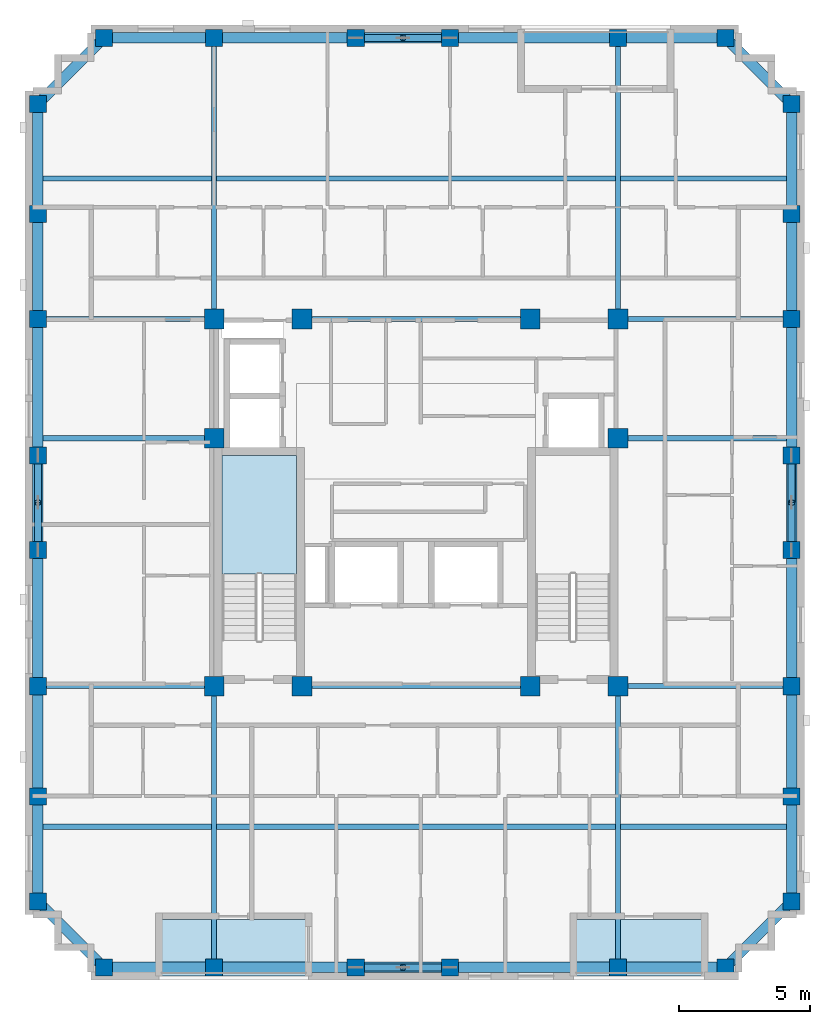
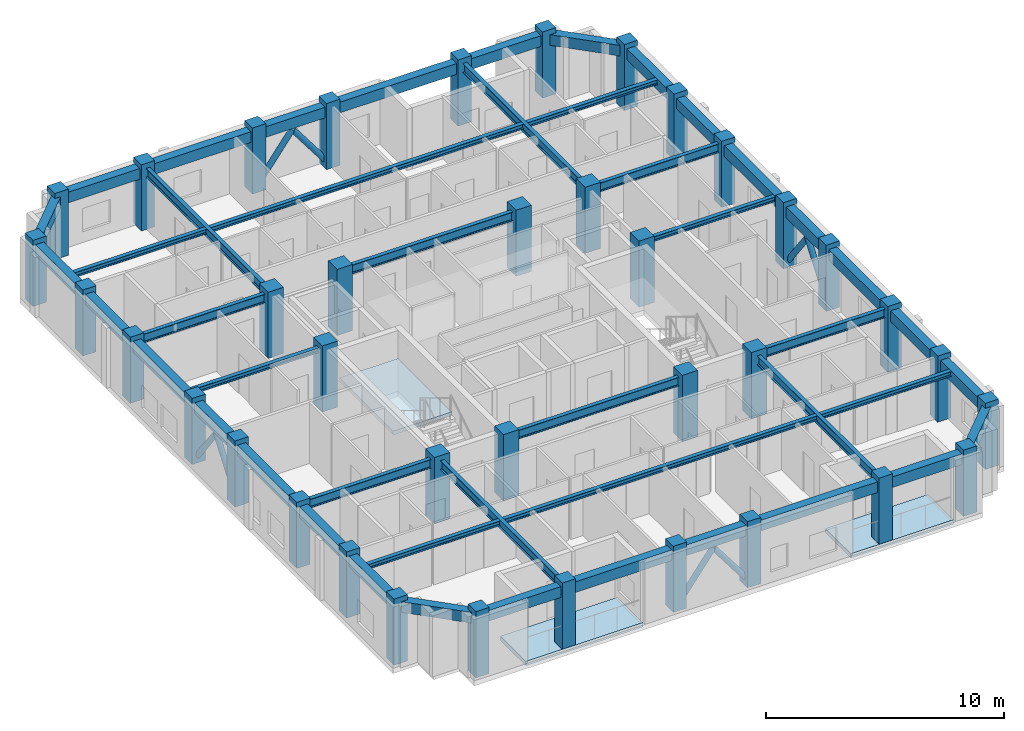
# One storey, part 1 of 11: 46 beams, 38 columns, 8 members, 3 slabs, 1 element without a shape of its own.
"""IFC4 building model written with IfcOpenShell, lengths in metres."""

from ifc_helpers import new_model, si_unit, derived_unit, direction, frame, origin, origin_2d, place, context, subcontext, project, spatial, polyline, rectangle, hollow_circle, i_section, outline, extrude, material, layer, layer_set, material_profile, profile_set, type_object, element, aggregate, save


model = new_model("IFC4")

# Units and contexts
model_context = context("Model", 3, precision=1e-05, world=origin(), true_north=direction((0.0, 1.0)))
body_context = subcontext(model_context, "Body", "Model", "MODEL_VIEW")
ifc_project = project(units=[si_unit("LENGTHUNIT", "METRE"), si_unit("AREAUNIT", "SQUARE_METRE"), si_unit("VOLUMEUNIT", "CUBIC_METRE"), si_unit("PLANEANGLEUNIT", "RADIAN"), si_unit("MASSUNIT", "GRAM", prefix="KILO"), derived_unit("THERMALTRANSMITTANCEUNIT", [(si_unit("MASSUNIT", "GRAM", prefix="KILO"), 1), (si_unit("TIMEUNIT", "SECOND"), -3), (si_unit("THERMODYNAMICTEMPERATUREUNIT", "KELVIN"), -1)])], contexts=[model_context])

# Site, building, storey
site_placement = place(None, origin())
site = spatial("IfcSite", under=ifc_project, at=site_placement, CompositionType="ELEMENT")
building_placement = place(site_placement, origin())
building = spatial("IfcBuilding", under=site, at=building_placement, Name="Korrvale Station Residences", CompositionType="ELEMENT")
storey_placement = place(building_placement, frame((0.0, 0.0, 241.10009765625)))
storey = spatial("IfcBuildingStorey", under=building, at=storey_placement, Name="L70", CompositionType="ELEMENT", Elevation=241.10009765625)

# Columns
ifc_material_1 = material(Name="Concrete C50/60", Category="concrete")
ifc_material_profile_1 = material_profile(ifc_material_1, rectangle(XDim=0.64990234375, YDim=0.64990234375, at=origin_2d()), Name="RC650x650")
ifc_profile_set_1 = profile_set([ifc_material_profile_1], Name="Concrete C50/60")
column_type_1 = type_object("IfcColumnType", Name="COL-C-RC650x650-C5060", PredefinedType="COLUMN", material=ifc_profile_set_1)
for number, where, z_axis, x_axis, name in (
    (1, (13.60009765625, 4.280029296875, 0.0), (0.0, 0.0, 1.0), (1.0, 0.0, 0.0), "L70 Bundled-Tube South Column 01"),
    (2, (17.800048828125, 4.280029296875, 0.0), (0.0, 0.0, 1.0), (1.0, 0.0, 0.0), "L70 Bundled-Tube South Column 02"),
    (3, (23.199951171875, 4.280029296875, 0.0), (0.0, 0.0, 1.0), (1.0, 0.0, 0.0), "L70 Bundled-Tube South Column 03"),
    (4, (26.800048828125, 4.280029296875, 0.0), (0.0, 0.0, 1.0), (1.0, 0.0, 0.0), "L70 Bundled-Tube South Column 04"),
    (5, (33.199951171875, 4.280029296875, 0.0), (0.0, 0.0, 1.0), (1.0, 0.0, 0.0), "L70 Bundled-Tube South Column 05"),
    (6, (37.300048828125, 4.280029296875, 0.0), (0.0, 0.0, 1.0), (1.0, 0.0, 0.0), "L70 Bundled-Tube South Column 06"),
    (7, (13.60009765625, 39.719970703125, 0.0), (0.0, 0.0, 1.0), (1.0, 0.0, 0.0), "L70 Bundled-Tube North Column 07"),
    (8, (17.800048828125, 39.719970703125, 0.0), (0.0, 0.0, 1.0), (1.0, 0.0, 0.0), "L70 Bundled-Tube North Column 08"),
    (9, (23.199951171875, 39.719970703125, 0.0), (0.0, 0.0, 1.0), (1.0, 0.0, 0.0), "L70 Bundled-Tube North Column 09"),
    (10, (26.800048828125, 39.719970703125, 0.0), (0.0, 0.0, 1.0), (1.0, 0.0, 0.0), "L70 Bundled-Tube North Column 10"),
    (11, (33.199951171875, 39.719970703125, 0.0), (0.0, 0.0, 1.0), (1.0, 0.0, 0.0), "L70 Bundled-Tube North Column 11"),
    (12, (37.300048828125, 39.719970703125, 0.0), (0.0, 0.0, 1.0), (1.0, 0.0, 0.0), "L70 Bundled-Tube North Column 12"),
    (13, (11.080078125, 6.800048828125, 0.0), (0.0, 0.0, 1.0), (1.0, 0.0, 0.0), "L70 Bundled-Tube West Column 13"),
    (14, (11.080078125, 10.800048828125, 0.0), (0.0, 0.0, 1.0), (1.0, 0.0, 0.0), "L70 Bundled-Tube West Column 14"),
    (15, (11.080078125, 15.0, 0.0), (0.0, 0.0, 1.0), (1.0, 0.0, 0.0), "L70 Bundled-Tube West Column 15"),
    (16, (11.080078125, 20.199951171875, 0.0), (0.0, 0.0, 1.0), (1.0, 0.0, 0.0), "L70 Bundled-Tube West Column 16"),
    (17, (11.080078125, 23.800048828125, 0.0), (0.0, 0.0, 1.0), (1.0, 0.0, 0.0), "L70 Bundled-Tube West Column 17"),
    (18, (11.080078125, 29.0, 0.0), (0.0, 0.0, 1.0), (1.0, 0.0, 0.0), "L70 Bundled-Tube West Column 18"),
    (19, (11.080078125, 33.0, 0.0), (0.0, 0.0, 1.0), (1.0, 0.0, 0.0), "L70 Bundled-Tube West Column 19"),
    (20, (11.080078125, 37.199951171875, 0.0), (0.0, 0.0, 1.0), (1.0, 0.0, 0.0), "L70 Bundled-Tube West Column 20"),
    (21, (39.820068359375, 6.800048828125, 0.0), (0.0, 0.0, 1.0), (1.0, 0.0, 0.0), "L70 Bundled-Tube East Column 21"),
    (22, (39.820068359375, 10.800048828125, 0.0), (0.0, 0.0, 1.0), (1.0, 0.0, 0.0), "L70 Bundled-Tube East Column 22"),
    (23, (39.820068359375, 15.0, 0.0), (0.0, 0.0, 1.0), (1.0, 0.0, 0.0), "L70 Bundled-Tube East Column 23"),
    (24, (39.820068359375, 20.199951171875, 0.0), (0.0, 0.0, 1.0), (1.0, 0.0, 0.0), "L70 Bundled-Tube East Column 24"),
    (25, (39.820068359375, 23.800048828125, 0.0), (0.0, 0.0, 1.0), (1.0, 0.0, 0.0), "L70 Bundled-Tube East Column 25"),
    (26, (39.820068359375, 29.0, 0.0), (0.0, 0.0, 1.0), (1.0, 0.0, 0.0), "L70 Bundled-Tube East Column 26"),
    (27, (39.820068359375, 33.0, 0.0), (0.0, 0.0, 1.0), (1.0, 0.0, 0.0), "L70 Bundled-Tube East Column 27"),
    (28, (39.820068359375, 37.199951171875, 0.0), (0.0, 0.0, 1.0), (1.0, 0.0, 0.0), "L70 Bundled-Tube East Column 28"),
):
    element("IfcColumn", number, at=place(storey_placement, frame(where, z_axis=z_axis, x_axis=x_axis)), inside=storey, type_object=column_type_1, Name=name, PredefinedType="COLUMN", context=body_context, shape_type="SweptSolid", body=[
        extrude(rectangle(XDim=0.64990234375, YDim=0.64990234375, at=origin_2d()), origin(), (0.0, 0.0, 1.0), 3.39990234375),
    ])
ifc_material_profile_2 = material_profile(ifc_material_1, rectangle(XDim=0.75, YDim=0.75, at=origin_2d()), Name="RC750x750")
ifc_profile_set_2 = profile_set([ifc_material_profile_2], Name="Concrete C50/60")
column_type_2 = type_object("IfcColumnType", Name="COL-C-RC750x750-C5060", PredefinedType="COLUMN", material=ifc_profile_set_2)
for number, where, z_axis, x_axis, name in (
    (29, (17.800048828125, 15.0, 0.0), (0.0, 0.0, 1.0), (1.0, 0.0, 0.0), "L70 Core Column 01"),
    (30, (21.14990234375, 15.0, 0.0), (0.0, 0.0, 1.0), (1.0, 0.0, 0.0), "L70 Core Column 02"),
    (31, (29.85009765625, 15.0, 0.0), (0.0, 0.0, 1.0), (1.0, 0.0, 0.0), "L70 Core Column 03"),
    (32, (33.199951171875, 15.0, 0.0), (0.0, 0.0, 1.0), (1.0, 0.0, 0.0), "L70 Core Column 04"),
    (33, (17.800048828125, 29.0, 0.0), (0.0, 0.0, 1.0), (1.0, 0.0, 0.0), "L70 Core Column 05"),
    (34, (21.14990234375, 29.0, 0.0), (0.0, 0.0, 1.0), (1.0, 0.0, 0.0), "L70 Core Column 06"),
    (35, (29.85009765625, 29.0, 0.0), (0.0, 0.0, 1.0), (1.0, 0.0, 0.0), "L70 Core Column 07"),
    (36, (33.199951171875, 29.0, 0.0), (0.0, 0.0, 1.0), (1.0, 0.0, 0.0), "L70 Core Column 08"),
    (37, (17.800048828125, 24.449951171875, 0.0), (0.0, 0.0, 1.0), (1.0, 0.0, 0.0), "L70 Core Column 09"),
    (38, (33.199951171875, 24.449951171875, 0.0), (0.0, 0.0, 1.0), (1.0, 0.0, 0.0), "L70 Core Column 10"),
):
    element("IfcColumn", number, at=place(storey_placement, frame(where, z_axis=z_axis, x_axis=x_axis)), inside=storey, type_object=column_type_2, Name=name, PredefinedType="COLUMN", context=body_context, shape_type="SweptSolid", body=[
        extrude(rectangle(XDim=0.75, YDim=0.75, at=origin_2d()), origin(), (0.0, 0.0, 1.0), 3.39990234375),
    ])

# Beams
ifc_material_2 = material(Name="Steel S355", Category="steel")
ifc_material_profile_3 = material_profile(ifc_material_2, i_section(OverallWidth=0.18994140625, OverallDepth=0.45703125, WebThickness=0.009033203125, FlangeThickness=0.014404296875, FilletRadius=0.01611328125, at=origin_2d()), Name="W460x74")
ifc_profile_set_3 = profile_set([ifc_material_profile_3], Name="Steel S355")
beam_type_1 = type_object("IfcBeamType", Name="BM-BM-W460x74-S355", PredefinedType="BEAM", material=ifc_profile_set_3)
for number, where, z_axis, x_axis, name in (
    (39, (17.800048828125, 4.280029296875, 2.911376953125), (0.0, 1.0, 0.0), (-1.0, 0.0, 0.0), "L70 Bundled-Tube Web Girder 01"),
    (40, (33.199951171875, 4.280029296875, 2.911376953125), (0.0, 1.0, 0.0), (-1.0, 0.0, 0.0), "L70 Bundled-Tube Web Girder 02"),
    (41, (17.800048828125, 29.0, 2.911376953125), (0.0, 1.0, 0.0), (-1.0, 0.0, 0.0), "L70 Bundled-Tube Web Girder 03"),
    (42, (33.199951171875, 29.0, 2.911376953125), (0.0, 1.0, 0.0), (-1.0, 0.0, 0.0), "L70 Bundled-Tube Web Girder 04"),
):
    element("IfcBeam", number, at=place(storey_placement, frame(where, z_axis=z_axis, x_axis=x_axis)), inside=storey, type_object=beam_type_1, Name=name, PredefinedType="BEAM", context=body_context, shape_type="SweptSolid", body=[
        extrude(i_section(OverallWidth=0.18994140625, OverallDepth=0.45703125, WebThickness=0.009033203125, FlangeThickness=0.014404296875, FilletRadius=0.01611328125, at=origin_2d()), origin(), (0.0, 0.0, 1.0), 10.719970703125),
    ])
beam_1_placement = place(storey_placement, frame((11.080078125, 15.0, 2.911376953125), z_axis=(1.0, 0.0, 0.0), x_axis=(0.0, 1.0, 0.0)))
element("IfcBeam", 43, at=beam_1_placement, inside=storey, type_object=beam_type_1, Name="L70 Bundled-Tube Web Girder 05", PredefinedType="BEAM", context=body_context, shape_type="SweptSolid", body=[
    extrude(i_section(OverallWidth=0.18994140625, OverallDepth=0.45703125, WebThickness=0.009033203125, FlangeThickness=0.014404296875, FilletRadius=0.01611328125, at=origin_2d()), origin(), (0.0, 0.0, 1.0), 6.719970703125),
])
beam_2_placement = place(storey_placement, frame((33.199951171875, 15.0, 2.911376953125), z_axis=(1.0, 0.0, 0.0), x_axis=(0.0, 1.0, 0.0)))
element("IfcBeam", 44, at=beam_2_placement, inside=storey, type_object=beam_type_1, Name="L70 Bundled-Tube Web Girder 06", PredefinedType="BEAM", context=body_context, shape_type="SweptSolid", body=[
    extrude(i_section(OverallWidth=0.18994140625, OverallDepth=0.45703125, WebThickness=0.009033203125, FlangeThickness=0.014404296875, FilletRadius=0.01611328125, at=origin_2d()), origin(), (0.0, 0.0, 1.0), 6.6201171875),
])
beam_3_placement = place(storey_placement, frame((11.080078125, 29.0, 2.911376953125), z_axis=(1.0, 0.0, 0.0), x_axis=(0.0, 1.0, 0.0)))
element("IfcBeam", 45, at=beam_3_placement, inside=storey, type_object=beam_type_1, Name="L70 Bundled-Tube Web Girder 07", PredefinedType="BEAM", context=body_context, shape_type="SweptSolid", body=[
    extrude(i_section(OverallWidth=0.18994140625, OverallDepth=0.45703125, WebThickness=0.009033203125, FlangeThickness=0.014404296875, FilletRadius=0.01611328125, at=origin_2d()), origin(), (0.0, 0.0, 1.0), 6.719970703125),
])
beam_4_placement = place(storey_placement, frame((33.199951171875, 29.0, 2.911376953125), z_axis=(1.0, 0.0, 0.0), x_axis=(0.0, 1.0, 0.0)))
element("IfcBeam", 46, at=beam_4_placement, inside=storey, type_object=beam_type_1, Name="L70 Bundled-Tube Web Girder 08", PredefinedType="BEAM", context=body_context, shape_type="SweptSolid", body=[
    extrude(i_section(OverallWidth=0.18994140625, OverallDepth=0.45703125, WebThickness=0.009033203125, FlangeThickness=0.014404296875, FilletRadius=0.01611328125, at=origin_2d()), origin(), (0.0, 0.0, 1.0), 6.6201171875),
])
for number, where, z_axis, x_axis, name in (
    (47, (21.14990234375, 15.0, 2.911376953125), (1.0, 0.0, 0.0), (0.0, 1.0, 0.0), "L70 Bundled-Tube Web Girder 09"),
    (48, (21.14990234375, 29.0, 2.911376953125), (1.0, 0.0, 0.0), (0.0, 1.0, 0.0), "L70 Bundled-Tube Web Girder 10"),
):
    element("IfcBeam", number, at=place(storey_placement, frame(where, z_axis=z_axis, x_axis=x_axis)), inside=storey, type_object=beam_type_1, Name=name, PredefinedType="BEAM", context=body_context, shape_type="SweptSolid", body=[
        extrude(i_section(OverallWidth=0.18994140625, OverallDepth=0.45703125, WebThickness=0.009033203125, FlangeThickness=0.014404296875, FilletRadius=0.01611328125, at=origin_2d()), origin(), (0.0, 0.0, 1.0), 8.7001953125),
    ])
ifc_material_profile_4 = material_profile(ifc_material_2, i_section(OverallWidth=0.201904296875, OverallDepth=0.2470703125, WebThickness=0.00732421875, FlangeThickness=0.010986328125, FilletRadius=0.012939453125, at=origin_2d()), Name="W250x49")
ifc_profile_set_4 = profile_set([ifc_material_profile_4], Name="Steel S355")
beam_type_2 = type_object("IfcBeamType", Name="BM-JST-W250x49-S355", PredefinedType="JOIST", material=ifc_profile_set_4)
beam_5_placement = place(storey_placement, frame((11.280029296875, 9.639892578125, 3.016357421875), z_axis=(1.0, 0.0, 0.0), x_axis=(0.0, 1.0, 0.0)))
element("IfcBeam", 49, at=beam_5_placement, inside=storey, type_object=beam_type_2, Name="L70 Floor Framing Joist 01", PredefinedType="JOIST", context=body_context, shape_type="SweptSolid", body=[
    extrude(i_section(OverallWidth=0.201904296875, OverallDepth=0.2470703125, WebThickness=0.00732421875, FlangeThickness=0.010986328125, FilletRadius=0.012939453125, at=origin_2d()), origin(), (0.0, 0.0, 1.0), 6.425048828125),
])
beam_6_placement = place(storey_placement, frame((17.89501953125, 9.639892578125, 3.016357421875), z_axis=(1.0, 0.0, 0.0), x_axis=(0.0, 1.0, 0.0)))
element("IfcBeam", 50, at=beam_6_placement, inside=storey, type_object=beam_type_2, Name="L70 Floor Framing Joist 02", PredefinedType="JOIST", context=body_context, shape_type="SweptSolid", body=[
    extrude(i_section(OverallWidth=0.201904296875, OverallDepth=0.2470703125, WebThickness=0.00732421875, FlangeThickness=0.010986328125, FilletRadius=0.012939453125, at=origin_2d()), origin(), (0.0, 0.0, 1.0), 15.2099609375),
])
beam_7_placement = place(storey_placement, frame((33.294921875, 9.639892578125, 3.016357421875), z_axis=(1.0, 0.0, 0.0), x_axis=(0.0, 1.0, 0.0)))
element("IfcBeam", 51, at=beam_7_placement, inside=storey, type_object=beam_type_2, Name="L70 Floor Framing Joist 03", PredefinedType="JOIST", context=body_context, shape_type="SweptSolid", body=[
    extrude(i_section(OverallWidth=0.201904296875, OverallDepth=0.2470703125, WebThickness=0.00732421875, FlangeThickness=0.010986328125, FilletRadius=0.012939453125, at=origin_2d()), origin(), (0.0, 0.0, 1.0), 6.3251953125),
])
beam_8_placement = place(storey_placement, frame((11.280029296875, 34.360107421875, 3.016357421875), z_axis=(1.0, 0.0, 0.0), x_axis=(0.0, 1.0, 0.0)))
element("IfcBeam", 52, at=beam_8_placement, inside=storey, type_object=beam_type_2, Name="L70 Floor Framing Joist 04", PredefinedType="JOIST", context=body_context, shape_type="SweptSolid", body=[
    extrude(i_section(OverallWidth=0.201904296875, OverallDepth=0.2470703125, WebThickness=0.00732421875, FlangeThickness=0.010986328125, FilletRadius=0.012939453125, at=origin_2d()), origin(), (0.0, 0.0, 1.0), 6.425048828125),
])
beam_9_placement = place(storey_placement, frame((17.89501953125, 34.360107421875, 3.016357421875), z_axis=(1.0, 0.0, 0.0), x_axis=(0.0, 1.0, 0.0)))
element("IfcBeam", 53, at=beam_9_placement, inside=storey, type_object=beam_type_2, Name="L70 Floor Framing Joist 05", PredefinedType="JOIST", context=body_context, shape_type="SweptSolid", body=[
    extrude(i_section(OverallWidth=0.201904296875, OverallDepth=0.2470703125, WebThickness=0.00732421875, FlangeThickness=0.010986328125, FilletRadius=0.012939453125, at=origin_2d()), origin(), (0.0, 0.0, 1.0), 15.2099609375),
])
beam_10_placement = place(storey_placement, frame((33.294921875, 34.360107421875, 3.016357421875), z_axis=(1.0, 0.0, 0.0), x_axis=(0.0, 1.0, 0.0)))
element("IfcBeam", 54, at=beam_10_placement, inside=storey, type_object=beam_type_2, Name="L70 Floor Framing Joist 06", PredefinedType="JOIST", context=body_context, shape_type="SweptSolid", body=[
    extrude(i_section(OverallWidth=0.201904296875, OverallDepth=0.2470703125, WebThickness=0.00732421875, FlangeThickness=0.010986328125, FilletRadius=0.012939453125, at=origin_2d()), origin(), (0.0, 0.0, 1.0), 6.3251953125),
])
beam_11_placement = place(storey_placement, frame((33.199951171875, 24.449951171875, 3.016357421875), z_axis=(1.0, 0.0, 0.0), x_axis=(0.0, 1.0, 0.0)))
element("IfcBeam", 55, at=beam_11_placement, inside=storey, type_object=beam_type_2, Name="L70 Floor Framing Joist 07", PredefinedType="JOIST", context=body_context, shape_type="SweptSolid", body=[
    extrude(i_section(OverallWidth=0.201904296875, OverallDepth=0.2470703125, WebThickness=0.00732421875, FlangeThickness=0.010986328125, FilletRadius=0.012939453125, at=origin_2d()), origin(), (0.0, 0.0, 1.0), 6.420166015625),
])
beam_12_placement = place(storey_placement, frame((11.280029296875, 24.449951171875, 3.016357421875), z_axis=(1.0, 0.0, 0.0), x_axis=(0.0, 1.0, 0.0)))
element("IfcBeam", 56, at=beam_12_placement, inside=storey, type_object=beam_type_2, Name="L70 Floor Framing Joist 08", PredefinedType="JOIST", context=body_context, shape_type="SweptSolid", body=[
    extrude(i_section(OverallWidth=0.201904296875, OverallDepth=0.2470703125, WebThickness=0.00732421875, FlangeThickness=0.010986328125, FilletRadius=0.012939453125, at=origin_2d()), origin(), (0.0, 0.0, 1.0), 6.52001953125),
])
ifc_material_profile_5 = material_profile(ifc_material_1, rectangle(XDim=0.39990234375, YDim=0.550048828125, at=origin_2d()), Name="RCB400x550")
ifc_profile_set_5 = profile_set([ifc_material_profile_5], Name="Concrete C50/60")
beam_type_3 = type_object("IfcBeamType", Name="BM-SPB-RCB400x550-C5060", PredefinedType="SPANDREL", material=ifc_profile_set_5)
beam_13_placement = place(storey_placement, frame((13.60009765625, 4.280029296875, 2.864990234375), z_axis=(1.0, 0.0, 0.0), x_axis=(0.0, 1.0, 0.0)))
element("IfcBeam", 57, at=beam_13_placement, inside=storey, type_object=beam_type_3, Name="L70 South Tube Spandrel 01", PredefinedType="SPANDREL", context=body_context, shape_type="SweptSolid", body=[
    extrude(rectangle(XDim=0.39990234375, YDim=0.550048828125, at=origin_2d()), origin(), (0.0, 0.0, 1.0), 4.199951171875),
])
beam_14_placement = place(storey_placement, frame((17.800048828125, 4.280029296875, 2.864990234375), z_axis=(1.0, 0.0, 0.0), x_axis=(0.0, 1.0, 0.0)))
element("IfcBeam", 58, at=beam_14_placement, inside=storey, type_object=beam_type_3, Name="L70 South Tube Spandrel 02", PredefinedType="SPANDREL", context=body_context, shape_type="SweptSolid", body=[
    extrude(rectangle(XDim=0.39990234375, YDim=0.550048828125, at=origin_2d()), origin(), (0.0, 0.0, 1.0), 5.39990234375),
])
beam_15_placement = place(storey_placement, frame((23.199951171875, 4.280029296875, 2.864990234375), z_axis=(1.0, 0.0, 0.0), x_axis=(0.0, 1.0, 0.0)))
element("IfcBeam", 59, at=beam_15_placement, inside=storey, type_object=beam_type_3, Name="L70 South Tube Spandrel 03", PredefinedType="SPANDREL", context=body_context, shape_type="SweptSolid", body=[
    extrude(rectangle(XDim=0.39990234375, YDim=0.550048828125, at=origin_2d()), origin(), (0.0, 0.0, 1.0), 3.60009765625),
])
beam_16_placement = place(storey_placement, frame((26.800048828125, 4.280029296875, 2.864990234375), z_axis=(1.0, 0.0, 0.0), x_axis=(0.0, 1.0, 0.0)))
element("IfcBeam", 60, at=beam_16_placement, inside=storey, type_object=beam_type_3, Name="L70 South Tube Spandrel 04", PredefinedType="SPANDREL", context=body_context, shape_type="SweptSolid", body=[
    extrude(rectangle(XDim=0.39990234375, YDim=0.550048828125, at=origin_2d()), origin(), (0.0, 0.0, 1.0), 6.39990234375),
])
beam_17_placement = place(storey_placement, frame((33.199951171875, 4.280029296875, 2.864990234375), z_axis=(1.0, 0.0, 0.0), x_axis=(0.0, 1.0, 0.0)))
element("IfcBeam", 61, at=beam_17_placement, inside=storey, type_object=beam_type_3, Name="L70 South Tube Spandrel 05", PredefinedType="SPANDREL", context=body_context, shape_type="SweptSolid", body=[
    extrude(rectangle(XDim=0.39990234375, YDim=0.550048828125, at=origin_2d()), origin(), (0.0, 0.0, 1.0), 4.10009765625),
])
beam_18_placement = place(storey_placement, frame((13.60009765625, 39.719970703125, 2.864990234375), z_axis=(1.0, 0.0, 0.0), x_axis=(0.0, 1.0, 0.0)))
element("IfcBeam", 62, at=beam_18_placement, inside=storey, type_object=beam_type_3, Name="L70 North Tube Spandrel 06", PredefinedType="SPANDREL", context=body_context, shape_type="SweptSolid", body=[
    extrude(rectangle(XDim=0.39990234375, YDim=0.550048828125, at=origin_2d()), origin(), (0.0, 0.0, 1.0), 4.199951171875),
])
beam_19_placement = place(storey_placement, frame((17.800048828125, 39.719970703125, 2.864990234375), z_axis=(1.0, 0.0, 0.0), x_axis=(0.0, 1.0, 0.0)))
element("IfcBeam", 63, at=beam_19_placement, inside=storey, type_object=beam_type_3, Name="L70 North Tube Spandrel 07", PredefinedType="SPANDREL", context=body_context, shape_type="SweptSolid", body=[
    extrude(rectangle(XDim=0.39990234375, YDim=0.550048828125, at=origin_2d()), origin(), (0.0, 0.0, 1.0), 5.39990234375),
])
beam_20_placement = place(storey_placement, frame((23.199951171875, 39.719970703125, 2.864990234375), z_axis=(1.0, 0.0, 0.0), x_axis=(0.0, 1.0, 0.0)))
element("IfcBeam", 64, at=beam_20_placement, inside=storey, type_object=beam_type_3, Name="L70 North Tube Spandrel 08", PredefinedType="SPANDREL", context=body_context, shape_type="SweptSolid", body=[
    extrude(rectangle(XDim=0.39990234375, YDim=0.550048828125, at=origin_2d()), origin(), (0.0, 0.0, 1.0), 3.60009765625),
])
beam_21_placement = place(storey_placement, frame((26.800048828125, 39.719970703125, 2.864990234375), z_axis=(1.0, 0.0, 0.0), x_axis=(0.0, 1.0, 0.0)))
element("IfcBeam", 65, at=beam_21_placement, inside=storey, type_object=beam_type_3, Name="L70 North Tube Spandrel 09", PredefinedType="SPANDREL", context=body_context, shape_type="SweptSolid", body=[
    extrude(rectangle(XDim=0.39990234375, YDim=0.550048828125, at=origin_2d()), origin(), (0.0, 0.0, 1.0), 6.39990234375),
])
beam_22_placement = place(storey_placement, frame((33.199951171875, 39.719970703125, 2.864990234375), z_axis=(1.0, 0.0, 0.0), x_axis=(0.0, 1.0, 0.0)))
element("IfcBeam", 66, at=beam_22_placement, inside=storey, type_object=beam_type_3, Name="L70 North Tube Spandrel 10", PredefinedType="SPANDREL", context=body_context, shape_type="SweptSolid", body=[
    extrude(rectangle(XDim=0.39990234375, YDim=0.550048828125, at=origin_2d()), origin(), (0.0, 0.0, 1.0), 4.10009765625),
])
beam_23_placement = place(storey_placement, frame((11.080078125, 6.800048828125, 2.864990234375), z_axis=(0.0, 1.0, 0.0), x_axis=(-1.0, 0.0, 0.0)))
element("IfcBeam", 67, at=beam_23_placement, inside=storey, type_object=beam_type_3, Name="L70 West Tube Spandrel 11", PredefinedType="SPANDREL", context=body_context, shape_type="SweptSolid", body=[
    extrude(rectangle(XDim=0.39990234375, YDim=0.550048828125, at=origin_2d()), origin(), (0.0, 0.0, 1.0), 4.0),
])
beam_24_placement = place(storey_placement, frame((11.080078125, 10.800048828125, 2.864990234375), z_axis=(0.0, 1.0, 0.0), x_axis=(-1.0, 0.0, 0.0)))
element("IfcBeam", 68, at=beam_24_placement, inside=storey, type_object=beam_type_3, Name="L70 West Tube Spandrel 12", PredefinedType="SPANDREL", context=body_context, shape_type="SweptSolid", body=[
    extrude(rectangle(XDim=0.39990234375, YDim=0.550048828125, at=origin_2d()), origin(), (0.0, 0.0, 1.0), 4.199951171875),
])
beam_25_placement = place(storey_placement, frame((11.080078125, 15.0, 2.864990234375), z_axis=(0.0, 1.0, 0.0), x_axis=(-1.0, 0.0, 0.0)))
element("IfcBeam", 69, at=beam_25_placement, inside=storey, type_object=beam_type_3, Name="L70 West Tube Spandrel 13", PredefinedType="SPANDREL", context=body_context, shape_type="SweptSolid", body=[
    extrude(rectangle(XDim=0.39990234375, YDim=0.550048828125, at=origin_2d()), origin(), (0.0, 0.0, 1.0), 5.199951171875),
])
beam_26_placement = place(storey_placement, frame((11.080078125, 20.199951171875, 2.864990234375), z_axis=(0.0, 1.0, 0.0), x_axis=(-1.0, 0.0, 0.0)))
element("IfcBeam", 70, at=beam_26_placement, inside=storey, type_object=beam_type_3, Name="L70 West Tube Spandrel 14", PredefinedType="SPANDREL", context=body_context, shape_type="SweptSolid", body=[
    extrude(rectangle(XDim=0.39990234375, YDim=0.550048828125, at=origin_2d()), origin(), (0.0, 0.0, 1.0), 3.60009765625),
])
beam_27_placement = place(storey_placement, frame((11.080078125, 23.800048828125, 2.864990234375), z_axis=(0.0, 1.0, 0.0), x_axis=(-1.0, 0.0, 0.0)))
element("IfcBeam", 71, at=beam_27_placement, inside=storey, type_object=beam_type_3, Name="L70 West Tube Spandrel 15", PredefinedType="SPANDREL", context=body_context, shape_type="SweptSolid", body=[
    extrude(rectangle(XDim=0.39990234375, YDim=0.550048828125, at=origin_2d()), origin(), (0.0, 0.0, 1.0), 5.199951171875),
])
beam_28_placement = place(storey_placement, frame((11.080078125, 29.0, 2.864990234375), z_axis=(0.0, 1.0, 0.0), x_axis=(-1.0, 0.0, 0.0)))
element("IfcBeam", 72, at=beam_28_placement, inside=storey, type_object=beam_type_3, Name="L70 West Tube Spandrel 16", PredefinedType="SPANDREL", context=body_context, shape_type="SweptSolid", body=[
    extrude(rectangle(XDim=0.39990234375, YDim=0.550048828125, at=origin_2d()), origin(), (0.0, 0.0, 1.0), 4.0),
])
beam_29_placement = place(storey_placement, frame((11.080078125, 33.0, 2.864990234375), z_axis=(0.0, 1.0, 0.0), x_axis=(-1.0, 0.0, 0.0)))
element("IfcBeam", 73, at=beam_29_placement, inside=storey, type_object=beam_type_3, Name="L70 West Tube Spandrel 17", PredefinedType="SPANDREL", context=body_context, shape_type="SweptSolid", body=[
    extrude(rectangle(XDim=0.39990234375, YDim=0.550048828125, at=origin_2d()), origin(), (0.0, 0.0, 1.0), 4.199951171875),
])
beam_30_placement = place(storey_placement, frame((39.820068359375, 6.800048828125, 2.864990234375), z_axis=(0.0, 1.0, 0.0), x_axis=(-1.0, 0.0, 0.0)))
element("IfcBeam", 74, at=beam_30_placement, inside=storey, type_object=beam_type_3, Name="L70 East Tube Spandrel 18", PredefinedType="SPANDREL", context=body_context, shape_type="SweptSolid", body=[
    extrude(rectangle(XDim=0.39990234375, YDim=0.550048828125, at=origin_2d()), origin(), (0.0, 0.0, 1.0), 4.0),
])
beam_31_placement = place(storey_placement, frame((39.820068359375, 10.800048828125, 2.864990234375), z_axis=(0.0, 1.0, 0.0), x_axis=(-1.0, 0.0, 0.0)))
element("IfcBeam", 75, at=beam_31_placement, inside=storey, type_object=beam_type_3, Name="L70 East Tube Spandrel 19", PredefinedType="SPANDREL", context=body_context, shape_type="SweptSolid", body=[
    extrude(rectangle(XDim=0.39990234375, YDim=0.550048828125, at=origin_2d()), origin(), (0.0, 0.0, 1.0), 4.199951171875),
])
beam_32_placement = place(storey_placement, frame((39.820068359375, 15.0, 2.864990234375), z_axis=(0.0, 1.0, 0.0), x_axis=(-1.0, 0.0, 0.0)))
element("IfcBeam", 76, at=beam_32_placement, inside=storey, type_object=beam_type_3, Name="L70 East Tube Spandrel 20", PredefinedType="SPANDREL", context=body_context, shape_type="SweptSolid", body=[
    extrude(rectangle(XDim=0.39990234375, YDim=0.550048828125, at=origin_2d()), origin(), (0.0, 0.0, 1.0), 5.199951171875),
])
beam_33_placement = place(storey_placement, frame((39.820068359375, 20.199951171875, 2.864990234375), z_axis=(0.0, 1.0, 0.0), x_axis=(-1.0, 0.0, 0.0)))
element("IfcBeam", 77, at=beam_33_placement, inside=storey, type_object=beam_type_3, Name="L70 East Tube Spandrel 21", PredefinedType="SPANDREL", context=body_context, shape_type="SweptSolid", body=[
    extrude(rectangle(XDim=0.39990234375, YDim=0.550048828125, at=origin_2d()), origin(), (0.0, 0.0, 1.0), 3.60009765625),
])
beam_34_placement = place(storey_placement, frame((39.820068359375, 23.800048828125, 2.864990234375), z_axis=(0.0, 1.0, 0.0), x_axis=(-1.0, 0.0, 0.0)))
element("IfcBeam", 78, at=beam_34_placement, inside=storey, type_object=beam_type_3, Name="L70 East Tube Spandrel 22", PredefinedType="SPANDREL", context=body_context, shape_type="SweptSolid", body=[
    extrude(rectangle(XDim=0.39990234375, YDim=0.550048828125, at=origin_2d()), origin(), (0.0, 0.0, 1.0), 5.199951171875),
])
beam_35_placement = place(storey_placement, frame((39.820068359375, 29.0, 2.864990234375), z_axis=(0.0, 1.0, 0.0), x_axis=(-1.0, 0.0, 0.0)))
element("IfcBeam", 79, at=beam_35_placement, inside=storey, type_object=beam_type_3, Name="L70 East Tube Spandrel 23", PredefinedType="SPANDREL", context=body_context, shape_type="SweptSolid", body=[
    extrude(rectangle(XDim=0.39990234375, YDim=0.550048828125, at=origin_2d()), origin(), (0.0, 0.0, 1.0), 4.0),
])
beam_36_placement = place(storey_placement, frame((39.820068359375, 33.0, 2.864990234375), z_axis=(0.0, 1.0, 0.0), x_axis=(-1.0, 0.0, 0.0)))
element("IfcBeam", 80, at=beam_36_placement, inside=storey, type_object=beam_type_3, Name="L70 East Tube Spandrel 24", PredefinedType="SPANDREL", context=body_context, shape_type="SweptSolid", body=[
    extrude(rectangle(XDim=0.39990234375, YDim=0.550048828125, at=origin_2d()), origin(), (0.0, 0.0, 1.0), 4.199951171875),
])
for number, where, z_axis, x_axis, name in (
    (81, (13.60009765625, 4.280029296875, 2.864990234375), (-0.707106781187, 0.707106781187, 0.0), (-0.707106781187, -0.707106781187, 0.0), "L70 Serrated Corner Spandrel 25"),
    (82, (37.300048828125, 4.280029296875, 2.864990234375), (0.707106781187, 0.707106781187, 0.0), (-0.707106781187, 0.707106781187, 0.0), "L70 Serrated Corner Spandrel 26"),
    (83, (37.300048828125, 39.719970703125, 2.864990234375), (0.707106781187, -0.707106781187, 0.0), (0.707106781187, 0.707106781187, 0.0), "L70 Serrated Corner Spandrel 27"),
    (84, (13.60009765625, 39.719970703125, 2.864990234375), (-0.707106781187, -0.707106781187, 0.0), (0.707106781187, -0.707106781187, 0.0), "L70 Serrated Corner Spandrel 28"),
):
    element("IfcBeam", number, at=place(storey_placement, frame(where, z_axis=z_axis, x_axis=x_axis)), inside=storey, type_object=beam_type_3, Name=name, PredefinedType="SPANDREL", context=body_context, shape_type="SweptSolid", body=[
        extrude(rectangle(XDim=0.39990234375, YDim=0.550048828125, at=origin_2d()), origin(), (0.0, 0.0, 1.0), 3.56396484375),
    ])

# Members
ifc_material_profile_6 = material_profile(ifc_material_2, hollow_circle(Radius=0.136474609375, WallThickness=0.015869140625, at=origin_2d()), Name="HSS273x16")
ifc_profile_set_6 = profile_set([ifc_material_profile_6], Name="Steel S355")
member_type = type_object("IfcMemberType", Name="MBR-BR-HSS273x16", PredefinedType="BRACE", material=ifc_profile_set_6)
for number, where, z_axis, x_axis, name in (
    (85, (23.199951171875, 4.280029296875, 0.02001953125), (0.601630735092, 0.0, 0.798774347731), (0.0, 1.0, 0.0), "L70 S Perimeter Tube Wind Brace 1"),
    (86, (26.800048828125, 4.280029296875, 0.02001953125), (-0.601630735092, 0.0, 0.798774347731), (0.0, -1.0, 0.0), "L70 S Perimeter Tube Wind Brace 2"),
    (87, (23.199951171875, 39.719970703125, 0.02001953125), (0.601630735092, 0.0, 0.798774347731), (0.0, 1.0, 0.0), "L70 N Perimeter Tube Wind Brace 1"),
    (88, (26.800048828125, 39.719970703125, 0.02001953125), (-0.601630735092, 0.0, 0.798774347731), (0.0, -1.0, 0.0), "L70 N Perimeter Tube Wind Brace 2"),
    (89, (11.080078125, 20.199951171875, 0.02001953125), (0.0, 0.601630735092, 0.798774347731), (-1.0, 0.0, 0.0), "L70 W Perimeter Tube Wind Brace 1"),
    (90, (11.080078125, 23.800048828125, 0.02001953125), (0.0, -0.601630735092, 0.798774347731), (1.0, 0.0, 0.0), "L70 W Perimeter Tube Wind Brace 2"),
    (91, (39.820068359375, 20.199951171875, 0.02001953125), (0.0, 0.601630735092, 0.798774347731), (-1.0, 0.0, 0.0), "L70 E Perimeter Tube Wind Brace 1"),
    (92, (39.820068359375, 23.800048828125, 0.02001953125), (0.0, -0.601630735092, 0.798774347731), (1.0, 0.0, 0.0), "L70 E Perimeter Tube Wind Brace 2"),
):
    element("IfcMember", number, at=place(storey_placement, frame(where, z_axis=z_axis, x_axis=x_axis)), inside=storey, type_object=member_type, Name=name, PredefinedType="BRACE", context=body_context, shape_type="SweptSolid", body=[
        extrude(hollow_circle(Radius=0.136474609375, WallThickness=0.015869140625, at=origin_2d()), origin(), (0.0, 0.0, 1.0), 2.991943359375),
    ])

# Slabs
ifc_layer_1 = layer(ifc_material_1, 0.219970703125, Name="Concrete C50/60")
ifc_layer_set_1 = layer_set([ifc_layer_1], Name="Concrete C50/60")
slab_type_1 = type_object("IfcSlabType", Name="SLB-BAL-220", PredefinedType="FLOOR", material=ifc_layer_set_1)
slab_1_placement = place(storey_placement, frame((0.0, 0.0, -0.22021484375)))
element("IfcSlab", 93, at=slab_1_placement, inside=storey, type_object=slab_type_1, Name="L70 Recessed Loggia Balcony Slab BAL-L70-S1", PredefinedType="FLOOR", context=body_context, shape_type="SweptSolid", body=[
    extrude(outline(polyline([(15.699951171875, 3.949951171875), (21.39990234375, 3.949951171875), (21.39990234375, 6.10009765625), (15.699951171875, 6.10009765625), (15.699951171875, 3.949951171875)])), origin(), (0.0, 0.0, 1.0), 0.22021484375),
])
slab_2_placement = place(storey_placement, frame((0.0, 0.0, -0.22021484375)))
element("IfcSlab", 94, at=slab_2_placement, inside=storey, type_object=slab_type_1, Name="L70 Recessed Loggia Balcony Slab BAL-L70-S2", PredefinedType="FLOOR", context=body_context, shape_type="SweptSolid", body=[
    extrude(outline(polyline([(31.5, 3.949951171875), (36.5, 3.949951171875), (36.5, 6.10009765625), (31.5, 6.10009765625), (31.5, 3.949951171875)])), origin(), (0.0, 0.0, 1.0), 0.22021484375),
])

# Stair, slab
stair_type = type_object("IfcStairType", Name="STR-DL-1350-20R-1700", PredefinedType="HALF_TURN_STAIR", material=ifc_material_1)
stair_placement = place(storey_placement, origin())
stair = element("IfcStair", 95, at=stair_placement, inside=storey, type_object=stair_type, Name="L70 Exit Stair 1", PredefinedType="HALF_TURN_STAIR")
ifc_layer_2 = layer(ifc_material_1, 0.199951171875, Name="Concrete C50/60")
ifc_layer_set_2 = layer_set([ifc_layer_2], Name="Concrete C50/60")
slab_type_2 = type_object("IfcSlabType", Name="SLB-LND-200", PredefinedType="LANDING", material=ifc_layer_set_2)
slab_3_placement = place(storey_placement, frame((0.0, 0.0, 1.5)))
slab_3 = element("IfcSlab", 96, at=slab_3_placement, type_object=slab_type_2, Name="ST-1 landing 1", PredefinedType="LANDING", context=body_context, shape_type="SweptSolid", body=[
    extrude(outline(polyline([(20.949951171875, 19.27001953125), (20.949951171875, 23.800048828125), (18.10009765625, 23.800048828125), (18.10009765625, 19.27001953125), (20.949951171875, 19.27001953125)])), origin(), (0.0, 0.0, 1.0), 0.199951171875),
])
aggregate(stair, [slab_3])

save(model, "model.ifc")
